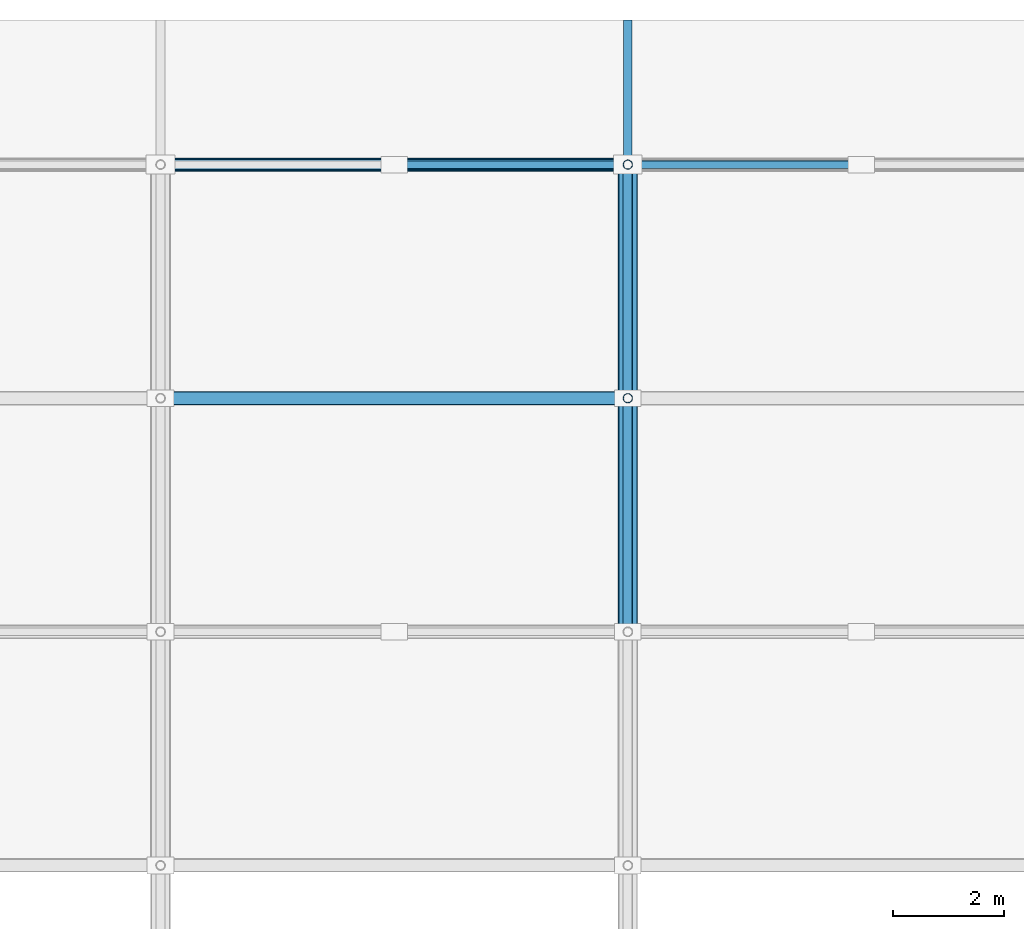
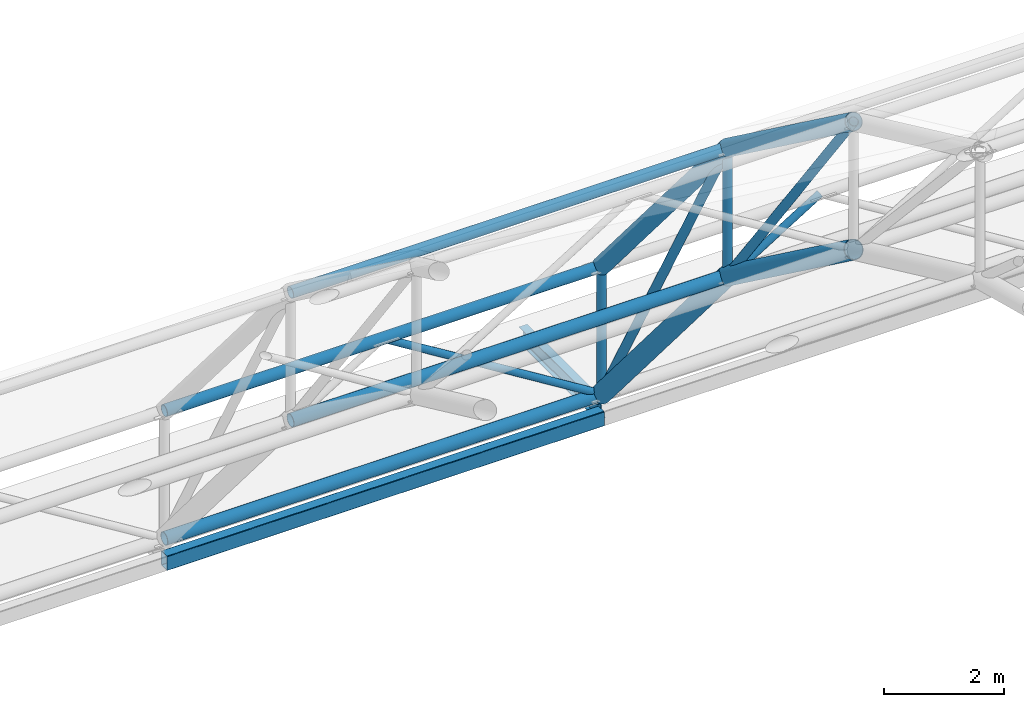
# One storey, part 48 of 103: 10 members, 6 beams.
"""IFC4 building model written with IfcOpenShell, lengths in metres."""

import ifcopenshell
import ifcopenshell.guid

model = None  # the IFC model being written
_history = None  # IfcOwnerHistory: only IFC2X3 demands one
_inside = {}  # id of a spatial element -> (the spatial element, [elements in it])
_under = {}  # id of a project, library or spatial element -> (it, [spatial elements below it])
_declared = {}  # id of a project -> (the project, [libraries it declares])
_typed = {}  # id of a type object -> (the type object, [elements of that type])
_made_of = {}  # id of a material, layer set ... -> (it, [elements and type objects made of it])


def new_model(schema):
    """Start an empty IFC model of exactly this schema.

    Asked for "IFC4X3", IfcOpenShell would pick the latest addendum, in which some entities
    have other attributes; the version numbers below select the first issue.
    IFC2X3 requires an IfcOwnerHistory on every rooted entity: one is made here for all.
    """
    global model, _history
    if schema == "IFC4X3":
        model = ifcopenshell.file(schema_version=(4, 3, 0, 0))
    else:
        model = ifcopenshell.file(schema=schema)
    _inside.clear()
    _under.clear()
    _declared.clear()
    _typed.clear()
    _made_of.clear()
    _history = None
    if model.schema == "IFC2X3":
        org = make("IfcOrganization", Name="unknown")
        user = make(
            "IfcPersonAndOrganization",
            ThePerson=make("IfcPerson", FamilyName="unknown"),
            TheOrganization=org,
        )
        app = make(
            "IfcApplication",
            ApplicationDeveloper=org,
            Version="unknown",
            ApplicationFullName="unknown",
            ApplicationIdentifier="unknown",
        )
        _history = make(
            "IfcOwnerHistory",
            OwningUser=user,
            OwningApplication=app,
            ChangeAction="ADDED",
            CreationDate=0,
        )
    return model


def make(cls, **values):
    """One entity of the class cls with the attributes given. An attribute that is None is left unset."""
    return model.create_entity(
        cls, **{name: value for name, value in values.items() if value is not None}
    )


def rooted(cls, **values):
    """An entity with a GlobalId (a new one), such as an element, a storey or a relation."""
    return make(cls, GlobalId=ifcopenshell.guid.new(), OwnerHistory=_history, **values)


def si_unit(unit_type, name, prefix=None):
    """IfcSIUnit, for example si_unit("LENGTHUNIT", "METRE", prefix="MILLI")."""
    return make("IfcSIUnit", UnitType=unit_type, Prefix=prefix, Name=name)


def assignment(units):
    """IfcUnitAssignment: the units of a project."""
    return None if units is None else make("IfcUnitAssignment", Units=units)


def point(xyz):
    """IfcCartesianPoint."""
    return None if xyz is None else make("IfcCartesianPoint", Coordinates=xyz)


def direction(xyz):
    """IfcDirection."""
    return None if xyz is None else make("IfcDirection", DirectionRatios=xyz)


def frame(location, z_axis=None, x_axis=None):
    """IfcAxis2Placement3D, a coordinate frame: its origin and axes. An axis left out is left unset."""
    return make(
        "IfcAxis2Placement3D",
        Location=point(location),
        Axis=direction(z_axis),
        RefDirection=direction(x_axis),
    )


def frame_2d(location, x_axis=None):
    """IfcAxis2Placement2D, a coordinate frame in the plane: its origin and x axis."""
    return make(
        "IfcAxis2Placement2D", Location=point(location), RefDirection=direction(x_axis)
    )


def origin():
    """The frame at (0, 0, 0) with its axes left unset."""
    return frame((0.0, 0.0, 0.0))


def origin_2d():
    """The frame at (0, 0) in the plane with its x axis left unset."""
    return frame_2d((0.0, 0.0))


def place(relative_to, where):
    """IfcLocalPlacement: puts the frame where relative to a parent placement (None: the world)."""
    return make(
        "IfcLocalPlacement", PlacementRelTo=relative_to, RelativePlacement=where
    )


def context(
    kind, dimensions, precision=None, world=None, true_north=None, identifier=None
):
    """IfcGeometricRepresentationContext, for example the 3D "Model" context."""
    return make(
        "IfcGeometricRepresentationContext",
        ContextIdentifier=identifier,
        ContextType=kind,
        CoordinateSpaceDimension=dimensions,
        Precision=precision,
        WorldCoordinateSystem=world,
        TrueNorth=true_north,
    )


def subcontext(parent, identifier, kind, view, scale=None):
    """IfcGeometricRepresentationSubContext, for example "Body" below "Model"."""
    return make(
        "IfcGeometricRepresentationSubContext",
        ContextIdentifier=identifier,
        ContextType=kind,
        ParentContext=parent,
        TargetScale=scale,
        TargetView=view,
    )


def project(units=None, contexts=None):
    """IfcProject with its units and contexts."""
    return rooted(
        "IfcProject",
        Name="project",
        RepresentationContexts=contexts,
        UnitsInContext=assignment(units),
    )


def spatial(cls, under=None, at=None, **own):
    """A site, building, storey or space (cls), placed at a placement, below another one or the project."""
    s = rooted(cls, ObjectPlacement=at, **own)
    if under is not None:
        _under.setdefault(under.id(), (under, []))[1].append(s)
    return s


def profile(cls, at=None, kind="AREA", **sizes):
    """A parametric profile (cls). Its sizes go by their IFC names, for example OverallWidth=200.0."""
    return make(cls, ProfileType=kind, Position=at, **sizes)


def hollow_rectangle(**sizes):
    """IfcRectangleHollowProfileDef."""
    return profile("IfcRectangleHollowProfileDef", **sizes)


def hollow_circle(**sizes):
    """IfcCircleHollowProfileDef."""
    return profile("IfcCircleHollowProfileDef", **sizes)


def i_section(**sizes):
    """IfcIShapeProfileDef."""
    return profile("IfcIShapeProfileDef", **sizes)


def extrude(swept, where, along, depth):
    """IfcExtrudedAreaSolid: the profile swept, set in the frame where, extruded along a direction by depth."""
    return make(
        "IfcExtrudedAreaSolid",
        SweptArea=swept,
        Position=where,
        ExtrudedDirection=direction(along),
        Depth=depth,
    )


def shape(context_of_items, identifier, shape_type, items):
    """IfcShapeRepresentation: the items that make up one representation, for example the "Body"."""
    return make(
        "IfcShapeRepresentation",
        ContextOfItems=context_of_items,
        RepresentationIdentifier=identifier,
        RepresentationType=shape_type,
        Items=items,
    )


def material(Name=None, Category=None):
    """IfcMaterial."""
    return make("IfcMaterial", Name=Name, Category=Category)


def material_profile(
    of_material, cross_section, Name=None, Category=None, Priority=None
):
    """IfcMaterialProfile: a cross section and its material."""
    return make(
        "IfcMaterialProfile",
        Name=Name,
        Material=of_material,
        Profile=cross_section,
        Priority=Priority,
        Category=Category,
    )


def profile_set(profiles, Name=None, composite=None):
    """IfcMaterialProfileSet."""
    return make(
        "IfcMaterialProfileSet",
        Name=Name,
        MaterialProfiles=profiles,
        CompositeProfile=composite,
    )


def made_of(thing, what):
    """Note that an element or type object is made of a material, layer set ...; save() writes the relation."""
    if what is not None:
        _made_of.setdefault(what.id(), (what, []))[1].append(thing)
    return thing


def type_object(cls, material=None, **own):
    """A type object (cls), such as IfcWallType, which elements share."""
    return made_of(rooted(cls, **own), material)


def element(
    cls,
    number,
    at=None,
    inside=None,
    cuts=None,
    type_object=None,
    material=None,
    context=None,
    identifier="Body",
    shape_type=None,
    held_by="IfcProductDefinitionShape",
    body=None,
    shapes=None,
    **own,
):
    """One element of the class cls, such as IfcWall. Its Tag is "e" and its number.

    at: its placement. inside: the storey or other place that contains it. cuts: it is an
    opening in that element (IfcRelVoidsElement). A single representation is given by context,
    identifier, shape_type and body (its items); several are given by shapes. held_by: the class
    of the entity that holds the representations. save() writes the other relations.
    """
    e = rooted(cls, Tag="e%d" % number, ObjectPlacement=at, **own)
    if body is not None:
        shapes = [shape(context, identifier, shape_type, body)]
    if shapes is not None:
        e.Representation = make(held_by, Representations=shapes)
    if inside is not None:
        _inside.setdefault(inside.id(), (inside, []))[1].append(e)
    if cuts is not None:
        rooted(
            "IfcRelVoidsElement", RelatingBuildingElement=cuts, RelatedOpeningElement=e
        )
    if type_object is not None:
        _typed.setdefault(type_object.id(), (type_object, []))[1].append(e)
    return made_of(e, material)


def aggregate(whole, parts):
    """IfcRelAggregates: a whole, such as a stair, and the parts it consists of."""
    return rooted("IfcRelAggregates", RelatingObject=whole, RelatedObjects=parts)


def save(model, path):
    """Write the relations noted so far, then the file.

    IfcRelAggregates (storeys below a building ...), IfcRelContainedInSpatialStructure (elements
    in a storey), IfcRelDefinesByType, IfcRelAssociatesMaterial and IfcRelDeclares: one each for
    every whole, place, type object, material and project.
    """
    for whole, parts in _under.values():
        aggregate(whole, parts)
    for where, things in _inside.values():
        rooted(
            "IfcRelContainedInSpatialStructure",
            RelatedElements=things,
            RelatingStructure=where,
        )
    for kind, things in _typed.values():
        rooted("IfcRelDefinesByType", RelatedObjects=things, RelatingType=kind)
    for what, things in _made_of.values():
        rooted("IfcRelAssociatesMaterial", RelatedObjects=things, RelatingMaterial=what)
    for by, libraries in _declared.values():
        rooted("IfcRelDeclares", RelatingContext=by, RelatedDefinitions=libraries)
    model.write(path)


model = new_model("IFC4")

# Units and contexts
model_context = context("Model", 3, precision=1e-05, world=origin(), true_north=direction((0.0, 1.0)))
body_context = subcontext(model_context, "Body", "Model", "MODEL_VIEW")
ifc_project = project(units=[si_unit("LENGTHUNIT", "METRE"), si_unit("AREAUNIT", "SQUARE_METRE"), si_unit("VOLUMEUNIT", "CUBIC_METRE"), si_unit("PLANEANGLEUNIT", "RADIAN"), si_unit("MASSUNIT", "GRAM", prefix="KILO")], contexts=[model_context])

# Site, building, storey
site_placement = place(None, origin())
site = spatial("IfcSite", under=ifc_project, at=site_placement, CompositionType="ELEMENT")
building_placement = place(site_placement, origin())
building = spatial("IfcBuilding", under=site, at=building_placement, Name="Varnapada Polytechnic", CompositionType="ELEMENT")
storey_placement = place(building_placement, frame((0.0, 0.0, 18.0)))
storey = spatial("IfcBuildingStorey", under=building, at=storey_placement, Name="L04", CompositionType="ELEMENT", Elevation=18.0)

# Beam
ifc_material = material(Name="Steel S355", Category="steel")
ifc_material_profile_1 = material_profile(ifc_material, i_section(OverallWidth=0.159912109375, OverallDepth=0.330078125, WebThickness=0.007568359375, FlangeThickness=0.011474609375, FilletRadius=0.01806640625, at=origin_2d()), Name="IPE 330")
ifc_profile_set_1 = profile_set([ifc_material_profile_1], Name="Steel S355")
beam_type_1 = type_object("IfcBeamType", Name="Clerestory monitor steel rafter SB-07 (IPE 330)", PredefinedType="BEAM", material=ifc_profile_set_1)
beam_1_placement = place(storey_placement, frame((100.800048828125, 126.0, -0.35009765625), z_axis=(0.0, 1.0, 0.0), x_axis=(-1.0, 0.0, 0.0)))
element("IfcBeam", 1, at=beam_1_placement, inside=storey, type_object=beam_type_1, Name="Workshop eave shade outlooker N.7", PredefinedType="BEAM", context=body_context, shape_type="SweptSolid", body=[
    extrude(i_section(OverallWidth=0.159912109375, OverallDepth=0.330078125, WebThickness=0.007568359375, FlangeThickness=0.011474609375, FilletRadius=0.01806640625, at=origin_2d()), origin(), (0.0, 0.0, 1.0), 2.60009765625),
])

# Members
ifc_material_profile_2 = material_profile(ifc_material, hollow_circle(Radius=0.122314453125, WallThickness=0.008056640625, at=origin_2d()), Name="CHS 244.5x8.0")
ifc_profile_set_2 = profile_set([ifc_material_profile_2], Name="Steel S355")
member_type_1 = type_object("IfcMemberType", Name="Vaulted space frame longitudinal bottom chord SFC-01 (CHS 244.5x8.0)", PredefinedType="CHORD", material=ifc_profile_set_2)
for number, where, z_axis, x_axis, name in (
    (2, (92.39990234375, 121.800048828125, 4.94921875), (1.0, 0.0, 0.0), (0.0, 1.0, 0.0), "Vaulted space frame longitudinal bottom chord 6.10"),
    (3, (92.39990234375, 126.0, 0.0), (1.0, 0.0, 0.0), (0.0, 1.0, 0.0), "Vaulted space frame longitudinal bottom chord 6.11"),
):
    element("IfcMember", number, at=place(storey_placement, frame(where, z_axis=z_axis, x_axis=x_axis)), inside=storey, type_object=member_type_1, Name=name, PredefinedType="CHORD", context=body_context, shape_type="SweptSolid", body=[
        extrude(hollow_circle(Radius=0.122314453125, WallThickness=0.008056640625, at=origin_2d()), origin(), (0.0, 0.0, 1.0), 8.400146484375),
    ])
ifc_material_profile_3 = material_profile(ifc_material, hollow_circle(Radius=0.109619140625, WallThickness=0.008056640625, at=origin_2d()), Name="CHS 219.1x8.0")
ifc_profile_set_3 = profile_set([ifc_material_profile_3], Name="Steel S355")
member_type_2 = type_object("IfcMemberType", Name="Vaulted space frame longitudinal top chord SFC-02 (CHS 219.1x8.0)", PredefinedType="CHORD", material=ifc_profile_set_3)
for number, where, z_axis, x_axis, name in (
    (4, (92.39990234375, 121.800048828125, 7.549072265625), (1.0, 0.0, 0.0), (0.0, 1.0, 0.0), "Vaulted space frame longitudinal top chord 6.10"),
    (5, (92.39990234375, 126.0, 2.60009765625), (1.0, 0.0, 0.0), (0.0, 1.0, 0.0), "Vaulted space frame longitudinal top chord 6.11"),
):
    element("IfcMember", number, at=place(storey_placement, frame(where, z_axis=z_axis, x_axis=x_axis)), inside=storey, type_object=member_type_2, Name=name, PredefinedType="CHORD", context=body_context, shape_type="SweptSolid", body=[
        extrude(hollow_circle(Radius=0.109619140625, WallThickness=0.008056640625, at=origin_2d()), origin(), (0.0, 0.0, 1.0), 8.400146484375),
    ])

# Beams
ifc_material_profile_4 = material_profile(ifc_material, hollow_circle(Radius=0.177734375, WallThickness=0.012451171875, at=origin_2d()), Name="CHS 355.6x12.5")
ifc_profile_set_4 = profile_set([ifc_material_profile_4], Name="Steel S355")
beam_type_2 = type_object("IfcBeamType", Name="Vaulted space frame primary arch rib VA-01 (CHS 355.6x12.5)", PredefinedType="BEAM", material=ifc_profile_set_4)
beam_2_placement = place(storey_placement, frame((100.800048828125, 117.60009765625, 8.02783203125), z_axis=(0.0, 0.806528689778, -0.591194953095), x_axis=(-1.0, 0.0, 0.0)))
element("IfcBeam", 6, at=beam_2_placement, inside=storey, type_object=beam_type_2, Name="Vaulted space frame bottom arch chord 7.9", PredefinedType="BEAM", context=body_context, shape_type="SweptSolid", body=[
    extrude(hollow_circle(Radius=0.177734375, WallThickness=0.012451171875, at=origin_2d()), origin(), (0.0, 0.0, 1.0), 5.20751953125),
])
beam_3_placement = place(storey_placement, frame((100.800048828125, 121.800048828125, 4.94921875), z_axis=(0.0, 0.647032448214, -0.762462465279), x_axis=(-1.0, 0.0, 0.0)))
element("IfcBeam", 7, at=beam_3_placement, inside=storey, type_object=beam_type_2, Name="Vaulted space frame bottom arch chord 7.10", PredefinedType="BEAM", context=body_context, shape_type="SweptSolid", body=[
    extrude(hollow_circle(Radius=0.177734375, WallThickness=0.012451171875, at=origin_2d()), origin(), (0.0, 0.0, 1.0), 6.4912109375),
])

# Members
ifc_material_profile_5 = material_profile(ifc_material, hollow_circle(Radius=0.084228515625, WallThickness=0.00634765625, at=origin_2d()), Name="CHS 168.3x6.3")
ifc_profile_set_5 = profile_set([ifc_material_profile_5], Name="Steel S355")
member_type_3 = type_object("IfcMemberType", Name="Vaulted space frame primary web diagonal SFB-01 (CHS 168.3x6.3)", PredefinedType="BRACE", material=ifc_profile_set_5)
member_1_placement = place(storey_placement, frame((100.800048828125, 117.60009765625, 10.6279296875), z_axis=(0.0, 0.594633036041, -0.803997234105), x_axis=(-1.0, 0.0, 0.0)))
element("IfcMember", 8, at=member_1_placement, inside=storey, type_object=member_type_3, Name="Vaulted space frame web diagonal 7.9", PredefinedType="BRACE", context=body_context, shape_type="SweptSolid", body=[
    extrude(hollow_circle(Radius=0.084228515625, WallThickness=0.00634765625, at=origin_2d()), origin(), (0.0, 0.0, 1.0), 7.06298828125),
])
member_2_placement = place(storey_placement, frame((100.800048828125, 121.800048828125, 7.549072265625), z_axis=(0.0, 0.486175535898, -0.873861172209), x_axis=(-1.0, 0.0, 0.0)))
element("IfcMember", 9, at=member_2_placement, inside=storey, type_object=member_type_3, Name="Vaulted space frame web diagonal 7.10", PredefinedType="BRACE", context=body_context, shape_type="SweptSolid", body=[
    extrude(hollow_circle(Radius=0.084228515625, WallThickness=0.00634765625, at=origin_2d()), origin(), (0.0, 0.0, 1.0), 8.638671875),
])
ifc_material_profile_6 = material_profile(ifc_material, hollow_circle(Radius=0.084228515625, WallThickness=0.00634765625, at=origin_2d()), Name="CHS 168.3x6.3")
ifc_profile_set_6 = profile_set([ifc_material_profile_6], Name="Steel S355")
member_type_4 = type_object("IfcMemberType", Name="Vaulted space frame radial web strut SFS-01 (CHS 168.3x6.3)", PredefinedType="STRUT", material=ifc_profile_set_6)
member_3_placement = place(storey_placement, frame((100.800048828125, 121.800048828125, 4.94921875), z_axis=(0.0, 0.0, 1.0), x_axis=(1.0, 0.0, 0.0)))
element("IfcMember", 10, at=member_3_placement, inside=storey, type_object=member_type_4, Name="Vaulted space frame strut 7.10", PredefinedType="STRUT", context=body_context, shape_type="SweptSolid", body=[
    extrude(hollow_circle(Radius=0.084228515625, WallThickness=0.00634765625, at=origin_2d()), origin(), (0.0, 0.0, 1.0), 2.599853515625),
])
member_4_placement = place(storey_placement, frame((100.800048828125, 126.0, 0.0), z_axis=(0.0, 0.0, 1.0), x_axis=(1.0, 0.0, 0.0)))
element("IfcMember", 11, at=member_4_placement, inside=storey, type_object=member_type_4, Name="Vaulted space frame strut 7.11", PredefinedType="STRUT", context=body_context, shape_type="SweptSolid", body=[
    extrude(hollow_circle(Radius=0.084228515625, WallThickness=0.00634765625, at=origin_2d()), origin(), (0.0, 0.0, 1.0), 2.60009765625),
])
ifc_material_profile_7 = material_profile(ifc_material, hollow_circle(Radius=0.06982421875, WallThickness=0.0048828125, at=origin_2d()), Name="CHS 139.7x5.0")
ifc_profile_set_7 = profile_set([ifc_material_profile_7], Name="Steel S355")
member_type_5 = type_object("IfcMemberType", Name="Vaulted space frame secondary web diagonal SFB-02 (CHS 139.7x5.0)", PredefinedType="BRACE", material=ifc_profile_set_7)
for number, where, z_axis, x_axis, name in (
    (12, (100.800048828125, 126.0, 0.0), (-0.85025356003, 0.0, 0.526373331065), (0.0, -1.0, 0.0), "Vaulted space frame longitudinal brace 6.11B"),
    (13, (100.800048828125, 126.0, 0.0), (0.85025356003, 0.0, 0.526373331065), (0.0, 1.0, 0.0), "Vaulted space frame longitudinal brace 7.11A"),
):
    element("IfcMember", number, at=place(storey_placement, frame(where, z_axis=z_axis, x_axis=x_axis)), inside=storey, type_object=member_type_5, Name=name, PredefinedType="BRACE", context=body_context, shape_type="SweptSolid", body=[
        extrude(hollow_circle(Radius=0.06982421875, WallThickness=0.0048828125, at=origin_2d()), origin(), (0.0, 0.0, 1.0), 4.939697265625),
    ])

# Beams
ifc_material_profile_8 = material_profile(ifc_material, hollow_circle(Radius=0.161865234375, WallThickness=0.010009765625, at=origin_2d()), Name="CHS 323.9x10.0")
ifc_profile_set_8 = profile_set([ifc_material_profile_8], Name="Steel S355")
beam_type_3 = type_object("IfcBeamType", Name="Vaulted space frame upper arch rib VA-02 (CHS 323.9x10.0)", PredefinedType="BEAM", material=ifc_profile_set_8)
beam_4_placement = place(storey_placement, frame((100.800048828125, 117.60009765625, 10.6279296875), z_axis=(0.0, 0.806506335259, -0.591225448698), x_axis=(-1.0, 0.0, 0.0)))
element("IfcBeam", 14, at=beam_4_placement, inside=storey, type_object=beam_type_3, Name="Vaulted space frame top arch chord 7.9", PredefinedType="BEAM", context=body_context, shape_type="SweptSolid", body=[
    extrude(hollow_circle(Radius=0.161865234375, WallThickness=0.010009765625, at=origin_2d()), origin(), (0.0, 0.0, 1.0), 5.20751953125),
])
beam_5_placement = place(storey_placement, frame((100.800048828125, 121.800048828125, 7.549072265625), z_axis=(0.0, 0.647051003787, -0.762446718465), x_axis=(-1.0, 0.0, 0.0)))
element("IfcBeam", 15, at=beam_5_placement, inside=storey, type_object=beam_type_3, Name="Vaulted space frame top arch chord 7.10", PredefinedType="BEAM", context=body_context, shape_type="SweptSolid", body=[
    extrude(hollow_circle(Radius=0.161865234375, WallThickness=0.010009765625, at=origin_2d()), origin(), (0.0, 0.0, 1.0), 6.490966796875),
])
ifc_material_profile_9 = material_profile(ifc_material, hollow_rectangle(XDim=0.199951171875, YDim=0.300048828125, WallThickness=0.010009765625, InnerFilletRadius=0.010009765625, OuterFilletRadius=0.02001953125, at=origin_2d()), Name="RHS 300x200x10")
ifc_profile_set_9 = profile_set([ifc_material_profile_9], Name="Steel S355")
beam_type_4 = type_object("IfcBeamType", Name="Workshop steel spandrel tie SP-03 (RHS 300x200x10)", PredefinedType="SPANDREL", material=ifc_profile_set_9)
beam_6_placement = place(storey_placement, frame((92.39990234375, 126.0, -0.449951171875), z_axis=(1.0, 0.0, 0.0), x_axis=(0.0, 1.0, 0.0)))
element("IfcBeam", 16, at=beam_6_placement, inside=storey, type_object=beam_type_4, Name="L04 workshop clerestory tie X12-13 Y16", PredefinedType="SPANDREL", context=body_context, shape_type="SweptSolid", body=[
    extrude(hollow_rectangle(XDim=0.199951171875, YDim=0.300048828125, WallThickness=0.010009765625, InnerFilletRadius=0.010009765625, OuterFilletRadius=0.02001953125, at=origin_2d()), origin(), (0.0, 0.0, 1.0), 8.400146484375),
])

save(model, "model.ifc")
